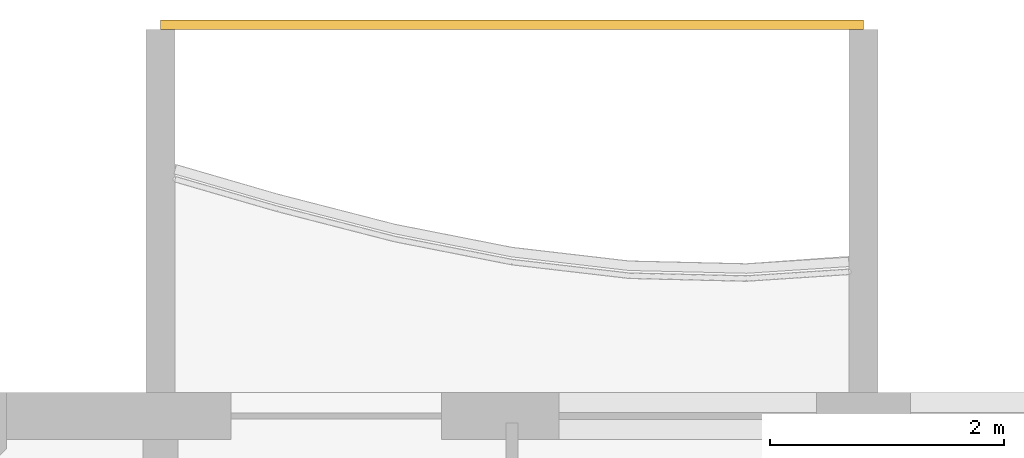
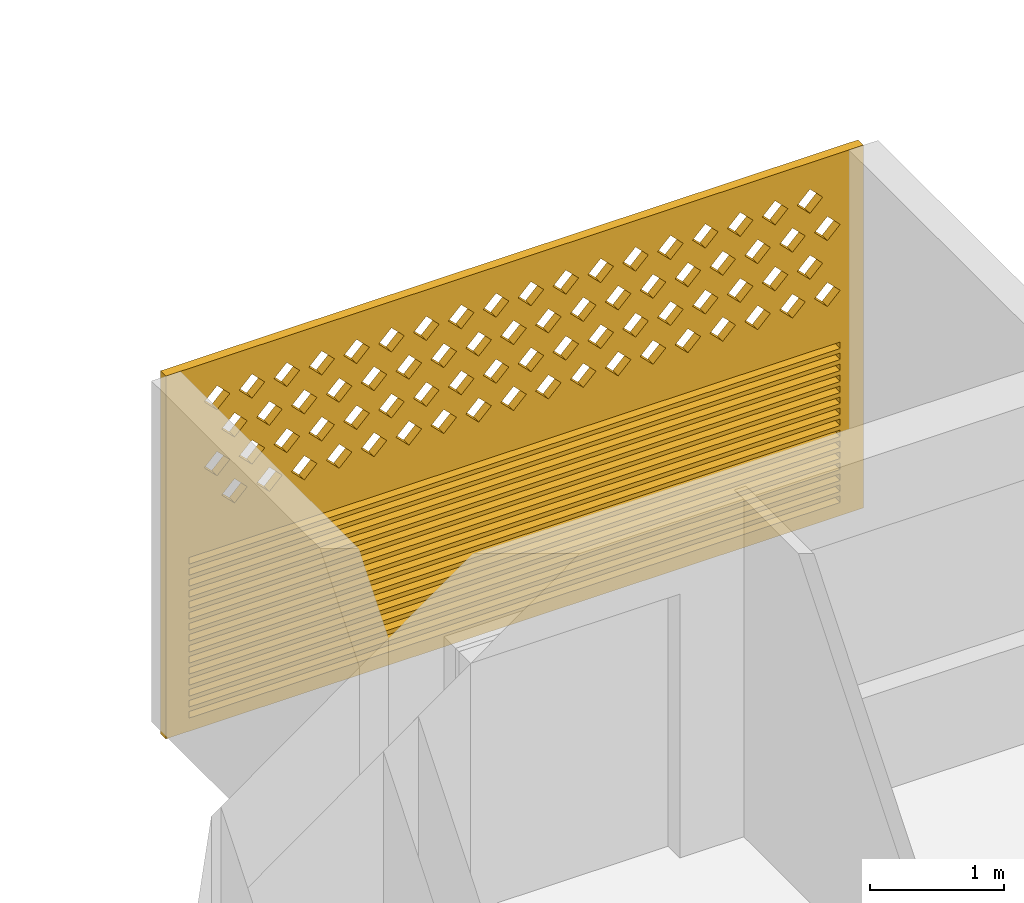
# One storey, part 19 of 33: 1 covering.
"""IFC4 building model written with IfcOpenShell, lengths in metres."""

from ifc_helpers import new_model, si_unit, direction, frame, origin, place, context, subcontext, project, spatial, polyline, outline, extrude, source, transform, mapped, material, material_profile, profile_set, type_object, element, save


model = new_model("IFC4")

# Units and contexts
model_context = context("Model", 3, precision=1e-05, world=origin(), true_north=direction((0.0, 1.0)))
body_context = subcontext(model_context, "Body", "Model", "MODEL_VIEW")
ifc_project = project(units=[si_unit("LENGTHUNIT", "METRE"), si_unit("AREAUNIT", "SQUARE_METRE"), si_unit("VOLUMEUNIT", "CUBIC_METRE"), si_unit("PLANEANGLEUNIT", "RADIAN"), si_unit("MASSUNIT", "GRAM", prefix="KILO")], contexts=[model_context])

# Site, building, storey
site_placement = place(None, origin())
site = spatial("IfcSite", under=ifc_project, at=site_placement, CompositionType="ELEMENT")
building_placement = place(site_placement, origin())
building = spatial("IfcBuilding", under=site, at=building_placement, Name="Poui Terraces", CompositionType="ELEMENT")
storey_placement = place(building_placement, frame((0.0, 0.0, 132.300048828125)))
storey = spatial("IfcBuildingStorey", under=building, at=storey_placement, Name="L36", CompositionType="ELEMENT", Elevation=132.300048828125)

# Covering
ifc_material = material(Name="Terracotta screen", Category="masonry")
ifc_material_profile = material_profile(ifc_material, outline(polyline([(-3.0, -1.64990234375), (3.0, -1.64990234375), (3.0, 1.64990234375), (-3.0, 1.64990234375), (-3.0, -1.64990234375)]), holes=[polyline([(-2.800048828125, 0.39990234375), (-2.68994140625, 0.2900390625), (-2.580078125, 0.39990234375), (-2.68994140625, 0.510009765625), (-2.800048828125, 0.39990234375)]), polyline([(-2.5, 0.39990234375), (-2.389892578125, 0.2900390625), (-2.280029296875, 0.39990234375), (-2.389892578125, 0.510009765625), (-2.5, 0.39990234375)]), polyline([(-2.199951171875, 0.39990234375), (-2.090087890625, 0.2900390625), (-1.97998046875, 0.39990234375), (-2.090087890625, 0.510009765625), (-2.199951171875, 0.39990234375)]), polyline([(-1.89990234375, 0.39990234375), (-1.7900390625, 0.2900390625), (-1.679931640625, 0.39990234375), (-1.7900390625, 0.510009765625), (-1.89990234375, 0.39990234375)]), polyline([(-1.60009765625, 0.39990234375), (-1.489990234375, 0.2900390625), (-1.3798828125, 0.39990234375), (-1.489990234375, 0.510009765625), (-1.60009765625, 0.39990234375)]), polyline([(-1.300048828125, 0.39990234375), (-1.18994140625, 0.2900390625), (-1.080078125, 0.39990234375), (-1.18994140625, 0.510009765625), (-1.300048828125, 0.39990234375)]), polyline([(-1.0, 0.39990234375), (-0.889892578125, 0.2900390625), (-0.780029296875, 0.39990234375), (-0.889892578125, 0.510009765625), (-1.0, 0.39990234375)]), polyline([(-0.699951171875, 0.39990234375), (-0.590087890625, 0.2900390625), (-0.47998046875, 0.39990234375), (-0.590087890625, 0.510009765625), (-0.699951171875, 0.39990234375)]), polyline([(-0.39990234375, 0.39990234375), (-0.2900390625, 0.2900390625), (-0.179931640625, 0.39990234375), (-0.2900390625, 0.510009765625), (-0.39990234375, 0.39990234375)]), polyline([(-0.10009765625, 0.39990234375), (0.010009765625, 0.2900390625), (0.1201171875, 0.39990234375), (0.010009765625, 0.510009765625), (-0.10009765625, 0.39990234375)]), polyline([(0.199951171875, 0.39990234375), (0.31005859375, 0.2900390625), (0.419921875, 0.39990234375), (0.31005859375, 0.510009765625), (0.199951171875, 0.39990234375)]), polyline([(0.5, 0.39990234375), (0.610107421875, 0.2900390625), (0.719970703125, 0.39990234375), (0.610107421875, 0.510009765625), (0.5, 0.39990234375)]), polyline([(0.800048828125, 0.39990234375), (0.909912109375, 0.2900390625), (1.02001953125, 0.39990234375), (0.909912109375, 0.510009765625), (0.800048828125, 0.39990234375)]), polyline([(1.10009765625, 0.39990234375), (1.2099609375, 0.2900390625), (1.320068359375, 0.39990234375), (1.2099609375, 0.510009765625), (1.10009765625, 0.39990234375)]), polyline([(1.39990234375, 0.39990234375), (1.510009765625, 0.2900390625), (1.6201171875, 0.39990234375), (1.510009765625, 0.510009765625), (1.39990234375, 0.39990234375)]), polyline([(1.699951171875, 0.39990234375), (1.81005859375, 0.2900390625), (1.919921875, 0.39990234375), (1.81005859375, 0.510009765625), (1.699951171875, 0.39990234375)]), polyline([(2.0, 0.39990234375), (2.110107421875, 0.2900390625), (2.219970703125, 0.39990234375), (2.110107421875, 0.510009765625), (2.0, 0.39990234375)]), polyline([(2.300048828125, 0.39990234375), (2.409912109375, 0.2900390625), (2.52001953125, 0.39990234375), (2.409912109375, 0.510009765625), (2.300048828125, 0.39990234375)]), polyline([(-2.64990234375, 0.699951171875), (-2.5400390625, 0.590087890625), (-2.429931640625, 0.699951171875), (-2.5400390625, 0.81005859375), (-2.64990234375, 0.699951171875)]), polyline([(-2.35009765625, 0.699951171875), (-2.239990234375, 0.590087890625), (-2.1298828125, 0.699951171875), (-2.239990234375, 0.81005859375), (-2.35009765625, 0.699951171875)]), polyline([(-2.050048828125, 0.699951171875), (-1.93994140625, 0.590087890625), (-1.830078125, 0.699951171875), (-1.93994140625, 0.81005859375), (-2.050048828125, 0.699951171875)]), polyline([(-1.75, 0.699951171875), (-1.639892578125, 0.590087890625), (-1.530029296875, 0.699951171875), (-1.639892578125, 0.81005859375), (-1.75, 0.699951171875)]), polyline([(-1.449951171875, 0.699951171875), (-1.340087890625, 0.590087890625), (-1.22998046875, 0.699951171875), (-1.340087890625, 0.81005859375), (-1.449951171875, 0.699951171875)]), polyline([(-1.14990234375, 0.699951171875), (-1.0400390625, 0.590087890625), (-0.929931640625, 0.699951171875), (-1.0400390625, 0.81005859375), (-1.14990234375, 0.699951171875)]), polyline([(-0.85009765625, 0.699951171875), (-0.739990234375, 0.590087890625), (-0.6298828125, 0.699951171875), (-0.739990234375, 0.81005859375), (-0.85009765625, 0.699951171875)]), polyline([(-0.550048828125, 0.699951171875), (-0.43994140625, 0.590087890625), (-0.330078125, 0.699951171875), (-0.43994140625, 0.81005859375), (-0.550048828125, 0.699951171875)]), polyline([(-0.25, 0.699951171875), (-0.139892578125, 0.590087890625), (-0.030029296875, 0.699951171875), (-0.139892578125, 0.81005859375), (-0.25, 0.699951171875)]), polyline([(0.050048828125, 0.699951171875), (0.159912109375, 0.590087890625), (0.27001953125, 0.699951171875), (0.159912109375, 0.81005859375), (0.050048828125, 0.699951171875)]), polyline([(0.35009765625, 0.699951171875), (0.4599609375, 0.590087890625), (0.570068359375, 0.699951171875), (0.4599609375, 0.81005859375), (0.35009765625, 0.699951171875)]), polyline([(0.64990234375, 0.699951171875), (0.760009765625, 0.590087890625), (0.8701171875, 0.699951171875), (0.760009765625, 0.81005859375), (0.64990234375, 0.699951171875)]), polyline([(0.949951171875, 0.699951171875), (1.06005859375, 0.590087890625), (1.169921875, 0.699951171875), (1.06005859375, 0.81005859375), (0.949951171875, 0.699951171875)]), polyline([(1.25, 0.699951171875), (1.360107421875, 0.590087890625), (1.469970703125, 0.699951171875), (1.360107421875, 0.81005859375), (1.25, 0.699951171875)]), polyline([(1.550048828125, 0.699951171875), (1.659912109375, 0.590087890625), (1.77001953125, 0.699951171875), (1.659912109375, 0.81005859375), (1.550048828125, 0.699951171875)]), polyline([(1.85009765625, 0.699951171875), (1.9599609375, 0.590087890625), (2.070068359375, 0.699951171875), (1.9599609375, 0.81005859375), (1.85009765625, 0.699951171875)]), polyline([(2.14990234375, 0.699951171875), (2.260009765625, 0.590087890625), (2.3701171875, 0.699951171875), (2.260009765625, 0.81005859375), (2.14990234375, 0.699951171875)]), polyline([(2.449951171875, 0.699951171875), (2.56005859375, 0.590087890625), (2.669921875, 0.699951171875), (2.56005859375, 0.81005859375), (2.449951171875, 0.699951171875)]), polyline([(-2.800048828125, 1.0), (-2.68994140625, 0.889892578125), (-2.580078125, 1.0), (-2.68994140625, 1.110107421875), (-2.800048828125, 1.0)]), polyline([(-2.5, 1.0), (-2.389892578125, 0.889892578125), (-2.280029296875, 1.0), (-2.389892578125, 1.110107421875), (-2.5, 1.0)]), polyline([(-2.199951171875, 1.0), (-2.090087890625, 0.889892578125), (-1.97998046875, 1.0), (-2.090087890625, 1.110107421875), (-2.199951171875, 1.0)]), polyline([(-1.89990234375, 1.0), (-1.7900390625, 0.889892578125), (-1.679931640625, 1.0), (-1.7900390625, 1.110107421875), (-1.89990234375, 1.0)]), polyline([(-1.60009765625, 1.0), (-1.489990234375, 0.889892578125), (-1.3798828125, 1.0), (-1.489990234375, 1.110107421875), (-1.60009765625, 1.0)]), polyline([(-1.300048828125, 1.0), (-1.18994140625, 0.889892578125), (-1.080078125, 1.0), (-1.18994140625, 1.110107421875), (-1.300048828125, 1.0)]), polyline([(-1.0, 1.0), (-0.889892578125, 0.889892578125), (-0.780029296875, 1.0), (-0.889892578125, 1.110107421875), (-1.0, 1.0)]), polyline([(-0.699951171875, 1.0), (-0.590087890625, 0.889892578125), (-0.47998046875, 1.0), (-0.590087890625, 1.110107421875), (-0.699951171875, 1.0)]), polyline([(-0.39990234375, 1.0), (-0.2900390625, 0.889892578125), (-0.179931640625, 1.0), (-0.2900390625, 1.110107421875), (-0.39990234375, 1.0)]), polyline([(-0.10009765625, 1.0), (0.010009765625, 0.889892578125), (0.1201171875, 1.0), (0.010009765625, 1.110107421875), (-0.10009765625, 1.0)]), polyline([(0.199951171875, 1.0), (0.31005859375, 0.889892578125), (0.419921875, 1.0), (0.31005859375, 1.110107421875), (0.199951171875, 1.0)]), polyline([(0.5, 1.0), (0.610107421875, 0.889892578125), (0.719970703125, 1.0), (0.610107421875, 1.110107421875), (0.5, 1.0)]), polyline([(0.800048828125, 1.0), (0.909912109375, 0.889892578125), (1.02001953125, 1.0), (0.909912109375, 1.110107421875), (0.800048828125, 1.0)]), polyline([(1.10009765625, 1.0), (1.2099609375, 0.889892578125), (1.320068359375, 1.0), (1.2099609375, 1.110107421875), (1.10009765625, 1.0)]), polyline([(1.39990234375, 1.0), (1.510009765625, 0.889892578125), (1.6201171875, 1.0), (1.510009765625, 1.110107421875), (1.39990234375, 1.0)]), polyline([(1.699951171875, 1.0), (1.81005859375, 0.889892578125), (1.919921875, 1.0), (1.81005859375, 1.110107421875), (1.699951171875, 1.0)]), polyline([(2.0, 1.0), (2.110107421875, 0.889892578125), (2.219970703125, 1.0), (2.110107421875, 1.110107421875), (2.0, 1.0)]), polyline([(2.300048828125, 1.0), (2.409912109375, 0.889892578125), (2.52001953125, 1.0), (2.409912109375, 1.110107421875), (2.300048828125, 1.0)]), polyline([(-2.64990234375, 1.300048828125), (-2.5400390625, 1.18994140625), (-2.429931640625, 1.300048828125), (-2.5400390625, 1.409912109375), (-2.64990234375, 1.300048828125)]), polyline([(-2.35009765625, 1.300048828125), (-2.239990234375, 1.18994140625), (-2.1298828125, 1.300048828125), (-2.239990234375, 1.409912109375), (-2.35009765625, 1.300048828125)]), polyline([(-2.050048828125, 1.300048828125), (-1.93994140625, 1.18994140625), (-1.830078125, 1.300048828125), (-1.93994140625, 1.409912109375), (-2.050048828125, 1.300048828125)]), polyline([(-1.75, 1.300048828125), (-1.639892578125, 1.18994140625), (-1.530029296875, 1.300048828125), (-1.639892578125, 1.409912109375), (-1.75, 1.300048828125)]), polyline([(-1.449951171875, 1.300048828125), (-1.340087890625, 1.18994140625), (-1.22998046875, 1.300048828125), (-1.340087890625, 1.409912109375), (-1.449951171875, 1.300048828125)]), polyline([(-1.14990234375, 1.300048828125), (-1.0400390625, 1.18994140625), (-0.929931640625, 1.300048828125), (-1.0400390625, 1.409912109375), (-1.14990234375, 1.300048828125)]), polyline([(-0.85009765625, 1.300048828125), (-0.739990234375, 1.18994140625), (-0.6298828125, 1.300048828125), (-0.739990234375, 1.409912109375), (-0.85009765625, 1.300048828125)]), polyline([(-0.550048828125, 1.300048828125), (-0.43994140625, 1.18994140625), (-0.330078125, 1.300048828125), (-0.43994140625, 1.409912109375), (-0.550048828125, 1.300048828125)]), polyline([(-0.25, 1.300048828125), (-0.139892578125, 1.18994140625), (-0.030029296875, 1.300048828125), (-0.139892578125, 1.409912109375), (-0.25, 1.300048828125)]), polyline([(0.050048828125, 1.300048828125), (0.159912109375, 1.18994140625), (0.27001953125, 1.300048828125), (0.159912109375, 1.409912109375), (0.050048828125, 1.300048828125)]), polyline([(0.35009765625, 1.300048828125), (0.4599609375, 1.18994140625), (0.570068359375, 1.300048828125), (0.4599609375, 1.409912109375), (0.35009765625, 1.300048828125)]), polyline([(0.64990234375, 1.300048828125), (0.760009765625, 1.18994140625), (0.8701171875, 1.300048828125), (0.760009765625, 1.409912109375), (0.64990234375, 1.300048828125)]), polyline([(0.949951171875, 1.300048828125), (1.06005859375, 1.18994140625), (1.169921875, 1.300048828125), (1.06005859375, 1.409912109375), (0.949951171875, 1.300048828125)]), polyline([(1.25, 1.300048828125), (1.360107421875, 1.18994140625), (1.469970703125, 1.300048828125), (1.360107421875, 1.409912109375), (1.25, 1.300048828125)]), polyline([(1.550048828125, 1.300048828125), (1.659912109375, 1.18994140625), (1.77001953125, 1.300048828125), (1.659912109375, 1.409912109375), (1.550048828125, 1.300048828125)]), polyline([(1.85009765625, 1.300048828125), (1.9599609375, 1.18994140625), (2.070068359375, 1.300048828125), (1.9599609375, 1.409912109375), (1.85009765625, 1.300048828125)]), polyline([(2.14990234375, 1.300048828125), (2.260009765625, 1.18994140625), (2.3701171875, 1.300048828125), (2.260009765625, 1.409912109375), (2.14990234375, 1.300048828125)]), polyline([(2.449951171875, 1.300048828125), (2.56005859375, 1.18994140625), (2.669921875, 1.300048828125), (2.56005859375, 1.409912109375), (2.449951171875, 1.300048828125)]), polyline([(-2.800048828125, -1.530029296875), (2.800048828125, -1.530029296875), (2.800048828125, -1.469970703125), (-2.800048828125, -1.469970703125), (-2.800048828125, -1.530029296875)]), polyline([(-2.800048828125, -1.429931640625), (2.800048828125, -1.429931640625), (2.800048828125, -1.3701171875), (-2.800048828125, -1.3701171875), (-2.800048828125, -1.429931640625)]), polyline([(-2.800048828125, -1.330078125), (2.800048828125, -1.330078125), (2.800048828125, -1.27001953125), (-2.800048828125, -1.27001953125), (-2.800048828125, -1.330078125)]), polyline([(-2.800048828125, -1.22998046875), (2.800048828125, -1.22998046875), (2.800048828125, -1.169921875), (-2.800048828125, -1.169921875), (-2.800048828125, -1.22998046875)]), polyline([(-2.800048828125, -1.1298828125), (2.800048828125, -1.1298828125), (2.800048828125, -1.070068359375), (-2.800048828125, -1.070068359375), (-2.800048828125, -1.1298828125)]), polyline([(-2.800048828125, -1.030029296875), (2.800048828125, -1.030029296875), (2.800048828125, -0.969970703125), (-2.800048828125, -0.969970703125), (-2.800048828125, -1.030029296875)]), polyline([(-2.800048828125, -0.929931640625), (2.800048828125, -0.929931640625), (2.800048828125, -0.8701171875), (-2.800048828125, -0.8701171875), (-2.800048828125, -0.929931640625)]), polyline([(-2.800048828125, -0.830078125), (2.800048828125, -0.830078125), (2.800048828125, -0.77001953125), (-2.800048828125, -0.77001953125), (-2.800048828125, -0.830078125)]), polyline([(-2.800048828125, -0.72998046875), (2.800048828125, -0.72998046875), (2.800048828125, -0.669921875), (-2.800048828125, -0.669921875), (-2.800048828125, -0.72998046875)]), polyline([(-2.800048828125, -0.6298828125), (2.800048828125, -0.6298828125), (2.800048828125, -0.570068359375), (-2.800048828125, -0.570068359375), (-2.800048828125, -0.6298828125)]), polyline([(-2.800048828125, -0.530029296875), (2.800048828125, -0.530029296875), (2.800048828125, -0.469970703125), (-2.800048828125, -0.469970703125), (-2.800048828125, -0.530029296875)]), polyline([(-2.800048828125, -0.429931640625), (2.800048828125, -0.429931640625), (2.800048828125, -0.3701171875), (-2.800048828125, -0.3701171875), (-2.800048828125, -0.429931640625)]), polyline([(-2.800048828125, -0.330078125), (2.800048828125, -0.330078125), (2.800048828125, -0.27001953125), (-2.800048828125, -0.27001953125), (-2.800048828125, -0.330078125)]), polyline([(-2.800048828125, -0.22998046875), (2.800048828125, -0.22998046875), (2.800048828125, -0.169921875), (-2.800048828125, -0.169921875), (-2.800048828125, -0.22998046875)]), polyline([(-2.800048828125, -0.1298828125), (2.800048828125, -0.1298828125), (2.800048828125, -0.070068359375), (-2.800048828125, -0.070068359375), (-2.800048828125, -0.1298828125)])]), Name="TERRACOTTA SCREEN AND JALOUSIE LOUVRE 6000X3300")
ifc_profile_set = profile_set([ifc_material_profile], Name="Terracotta screen")
covering_type = type_object("IfcCoveringType", Name="TERRACOTTA SCREEN AND JALOUSIE LOUVRE 6000X3300", PredefinedType="CLADDING", material=ifc_profile_set)
shared_shape = source(origin(), body_context, "Body", "SweptSolid", [
    extrude(outline(polyline([(-3.0, -1.64990234375), (3.0, -1.64990234375), (3.0, 1.64990234375), (-3.0, 1.64990234375), (-3.0, -1.64990234375)]), holes=[polyline([(-2.800048828125, 0.39990234375), (-2.68994140625, 0.2900390625), (-2.580078125, 0.39990234375), (-2.68994140625, 0.510009765625), (-2.800048828125, 0.39990234375)]), polyline([(-2.5, 0.39990234375), (-2.389892578125, 0.2900390625), (-2.280029296875, 0.39990234375), (-2.389892578125, 0.510009765625), (-2.5, 0.39990234375)]), polyline([(-2.199951171875, 0.39990234375), (-2.090087890625, 0.2900390625), (-1.97998046875, 0.39990234375), (-2.090087890625, 0.510009765625), (-2.199951171875, 0.39990234375)]), polyline([(-1.89990234375, 0.39990234375), (-1.7900390625, 0.2900390625), (-1.679931640625, 0.39990234375), (-1.7900390625, 0.510009765625), (-1.89990234375, 0.39990234375)]), polyline([(-1.60009765625, 0.39990234375), (-1.489990234375, 0.2900390625), (-1.3798828125, 0.39990234375), (-1.489990234375, 0.510009765625), (-1.60009765625, 0.39990234375)]), polyline([(-1.300048828125, 0.39990234375), (-1.18994140625, 0.2900390625), (-1.080078125, 0.39990234375), (-1.18994140625, 0.510009765625), (-1.300048828125, 0.39990234375)]), polyline([(-1.0, 0.39990234375), (-0.889892578125, 0.2900390625), (-0.780029296875, 0.39990234375), (-0.889892578125, 0.510009765625), (-1.0, 0.39990234375)]), polyline([(-0.699951171875, 0.39990234375), (-0.590087890625, 0.2900390625), (-0.47998046875, 0.39990234375), (-0.590087890625, 0.510009765625), (-0.699951171875, 0.39990234375)]), polyline([(-0.39990234375, 0.39990234375), (-0.2900390625, 0.2900390625), (-0.179931640625, 0.39990234375), (-0.2900390625, 0.510009765625), (-0.39990234375, 0.39990234375)]), polyline([(-0.10009765625, 0.39990234375), (0.010009765625, 0.2900390625), (0.1201171875, 0.39990234375), (0.010009765625, 0.510009765625), (-0.10009765625, 0.39990234375)]), polyline([(0.199951171875, 0.39990234375), (0.31005859375, 0.2900390625), (0.419921875, 0.39990234375), (0.31005859375, 0.510009765625), (0.199951171875, 0.39990234375)]), polyline([(0.5, 0.39990234375), (0.610107421875, 0.2900390625), (0.719970703125, 0.39990234375), (0.610107421875, 0.510009765625), (0.5, 0.39990234375)]), polyline([(0.800048828125, 0.39990234375), (0.909912109375, 0.2900390625), (1.02001953125, 0.39990234375), (0.909912109375, 0.510009765625), (0.800048828125, 0.39990234375)]), polyline([(1.10009765625, 0.39990234375), (1.2099609375, 0.2900390625), (1.320068359375, 0.39990234375), (1.2099609375, 0.510009765625), (1.10009765625, 0.39990234375)]), polyline([(1.39990234375, 0.39990234375), (1.510009765625, 0.2900390625), (1.6201171875, 0.39990234375), (1.510009765625, 0.510009765625), (1.39990234375, 0.39990234375)]), polyline([(1.699951171875, 0.39990234375), (1.81005859375, 0.2900390625), (1.919921875, 0.39990234375), (1.81005859375, 0.510009765625), (1.699951171875, 0.39990234375)]), polyline([(2.0, 0.39990234375), (2.110107421875, 0.2900390625), (2.219970703125, 0.39990234375), (2.110107421875, 0.510009765625), (2.0, 0.39990234375)]), polyline([(2.300048828125, 0.39990234375), (2.409912109375, 0.2900390625), (2.52001953125, 0.39990234375), (2.409912109375, 0.510009765625), (2.300048828125, 0.39990234375)]), polyline([(-2.64990234375, 0.699951171875), (-2.5400390625, 0.590087890625), (-2.429931640625, 0.699951171875), (-2.5400390625, 0.81005859375), (-2.64990234375, 0.699951171875)]), polyline([(-2.35009765625, 0.699951171875), (-2.239990234375, 0.590087890625), (-2.1298828125, 0.699951171875), (-2.239990234375, 0.81005859375), (-2.35009765625, 0.699951171875)]), polyline([(-2.050048828125, 0.699951171875), (-1.93994140625, 0.590087890625), (-1.830078125, 0.699951171875), (-1.93994140625, 0.81005859375), (-2.050048828125, 0.699951171875)]), polyline([(-1.75, 0.699951171875), (-1.639892578125, 0.590087890625), (-1.530029296875, 0.699951171875), (-1.639892578125, 0.81005859375), (-1.75, 0.699951171875)]), polyline([(-1.449951171875, 0.699951171875), (-1.340087890625, 0.590087890625), (-1.22998046875, 0.699951171875), (-1.340087890625, 0.81005859375), (-1.449951171875, 0.699951171875)]), polyline([(-1.14990234375, 0.699951171875), (-1.0400390625, 0.590087890625), (-0.929931640625, 0.699951171875), (-1.0400390625, 0.81005859375), (-1.14990234375, 0.699951171875)]), polyline([(-0.85009765625, 0.699951171875), (-0.739990234375, 0.590087890625), (-0.6298828125, 0.699951171875), (-0.739990234375, 0.81005859375), (-0.85009765625, 0.699951171875)]), polyline([(-0.550048828125, 0.699951171875), (-0.43994140625, 0.590087890625), (-0.330078125, 0.699951171875), (-0.43994140625, 0.81005859375), (-0.550048828125, 0.699951171875)]), polyline([(-0.25, 0.699951171875), (-0.139892578125, 0.590087890625), (-0.030029296875, 0.699951171875), (-0.139892578125, 0.81005859375), (-0.25, 0.699951171875)]), polyline([(0.050048828125, 0.699951171875), (0.159912109375, 0.590087890625), (0.27001953125, 0.699951171875), (0.159912109375, 0.81005859375), (0.050048828125, 0.699951171875)]), polyline([(0.35009765625, 0.699951171875), (0.4599609375, 0.590087890625), (0.570068359375, 0.699951171875), (0.4599609375, 0.81005859375), (0.35009765625, 0.699951171875)]), polyline([(0.64990234375, 0.699951171875), (0.760009765625, 0.590087890625), (0.8701171875, 0.699951171875), (0.760009765625, 0.81005859375), (0.64990234375, 0.699951171875)]), polyline([(0.949951171875, 0.699951171875), (1.06005859375, 0.590087890625), (1.169921875, 0.699951171875), (1.06005859375, 0.81005859375), (0.949951171875, 0.699951171875)]), polyline([(1.25, 0.699951171875), (1.360107421875, 0.590087890625), (1.469970703125, 0.699951171875), (1.360107421875, 0.81005859375), (1.25, 0.699951171875)]), polyline([(1.550048828125, 0.699951171875), (1.659912109375, 0.590087890625), (1.77001953125, 0.699951171875), (1.659912109375, 0.81005859375), (1.550048828125, 0.699951171875)]), polyline([(1.85009765625, 0.699951171875), (1.9599609375, 0.590087890625), (2.070068359375, 0.699951171875), (1.9599609375, 0.81005859375), (1.85009765625, 0.699951171875)]), polyline([(2.14990234375, 0.699951171875), (2.260009765625, 0.590087890625), (2.3701171875, 0.699951171875), (2.260009765625, 0.81005859375), (2.14990234375, 0.699951171875)]), polyline([(2.449951171875, 0.699951171875), (2.56005859375, 0.590087890625), (2.669921875, 0.699951171875), (2.56005859375, 0.81005859375), (2.449951171875, 0.699951171875)]), polyline([(-2.800048828125, 1.0), (-2.68994140625, 0.889892578125), (-2.580078125, 1.0), (-2.68994140625, 1.110107421875), (-2.800048828125, 1.0)]), polyline([(-2.5, 1.0), (-2.389892578125, 0.889892578125), (-2.280029296875, 1.0), (-2.389892578125, 1.110107421875), (-2.5, 1.0)]), polyline([(-2.199951171875, 1.0), (-2.090087890625, 0.889892578125), (-1.97998046875, 1.0), (-2.090087890625, 1.110107421875), (-2.199951171875, 1.0)]), polyline([(-1.89990234375, 1.0), (-1.7900390625, 0.889892578125), (-1.679931640625, 1.0), (-1.7900390625, 1.110107421875), (-1.89990234375, 1.0)]), polyline([(-1.60009765625, 1.0), (-1.489990234375, 0.889892578125), (-1.3798828125, 1.0), (-1.489990234375, 1.110107421875), (-1.60009765625, 1.0)]), polyline([(-1.300048828125, 1.0), (-1.18994140625, 0.889892578125), (-1.080078125, 1.0), (-1.18994140625, 1.110107421875), (-1.300048828125, 1.0)]), polyline([(-1.0, 1.0), (-0.889892578125, 0.889892578125), (-0.780029296875, 1.0), (-0.889892578125, 1.110107421875), (-1.0, 1.0)]), polyline([(-0.699951171875, 1.0), (-0.590087890625, 0.889892578125), (-0.47998046875, 1.0), (-0.590087890625, 1.110107421875), (-0.699951171875, 1.0)]), polyline([(-0.39990234375, 1.0), (-0.2900390625, 0.889892578125), (-0.179931640625, 1.0), (-0.2900390625, 1.110107421875), (-0.39990234375, 1.0)]), polyline([(-0.10009765625, 1.0), (0.010009765625, 0.889892578125), (0.1201171875, 1.0), (0.010009765625, 1.110107421875), (-0.10009765625, 1.0)]), polyline([(0.199951171875, 1.0), (0.31005859375, 0.889892578125), (0.419921875, 1.0), (0.31005859375, 1.110107421875), (0.199951171875, 1.0)]), polyline([(0.5, 1.0), (0.610107421875, 0.889892578125), (0.719970703125, 1.0), (0.610107421875, 1.110107421875), (0.5, 1.0)]), polyline([(0.800048828125, 1.0), (0.909912109375, 0.889892578125), (1.02001953125, 1.0), (0.909912109375, 1.110107421875), (0.800048828125, 1.0)]), polyline([(1.10009765625, 1.0), (1.2099609375, 0.889892578125), (1.320068359375, 1.0), (1.2099609375, 1.110107421875), (1.10009765625, 1.0)]), polyline([(1.39990234375, 1.0), (1.510009765625, 0.889892578125), (1.6201171875, 1.0), (1.510009765625, 1.110107421875), (1.39990234375, 1.0)]), polyline([(1.699951171875, 1.0), (1.81005859375, 0.889892578125), (1.919921875, 1.0), (1.81005859375, 1.110107421875), (1.699951171875, 1.0)]), polyline([(2.0, 1.0), (2.110107421875, 0.889892578125), (2.219970703125, 1.0), (2.110107421875, 1.110107421875), (2.0, 1.0)]), polyline([(2.300048828125, 1.0), (2.409912109375, 0.889892578125), (2.52001953125, 1.0), (2.409912109375, 1.110107421875), (2.300048828125, 1.0)]), polyline([(-2.64990234375, 1.300048828125), (-2.5400390625, 1.18994140625), (-2.429931640625, 1.300048828125), (-2.5400390625, 1.409912109375), (-2.64990234375, 1.300048828125)]), polyline([(-2.35009765625, 1.300048828125), (-2.239990234375, 1.18994140625), (-2.1298828125, 1.300048828125), (-2.239990234375, 1.409912109375), (-2.35009765625, 1.300048828125)]), polyline([(-2.050048828125, 1.300048828125), (-1.93994140625, 1.18994140625), (-1.830078125, 1.300048828125), (-1.93994140625, 1.409912109375), (-2.050048828125, 1.300048828125)]), polyline([(-1.75, 1.300048828125), (-1.639892578125, 1.18994140625), (-1.530029296875, 1.300048828125), (-1.639892578125, 1.409912109375), (-1.75, 1.300048828125)]), polyline([(-1.449951171875, 1.300048828125), (-1.340087890625, 1.18994140625), (-1.22998046875, 1.300048828125), (-1.340087890625, 1.409912109375), (-1.449951171875, 1.300048828125)]), polyline([(-1.14990234375, 1.300048828125), (-1.0400390625, 1.18994140625), (-0.929931640625, 1.300048828125), (-1.0400390625, 1.409912109375), (-1.14990234375, 1.300048828125)]), polyline([(-0.85009765625, 1.300048828125), (-0.739990234375, 1.18994140625), (-0.6298828125, 1.300048828125), (-0.739990234375, 1.409912109375), (-0.85009765625, 1.300048828125)]), polyline([(-0.550048828125, 1.300048828125), (-0.43994140625, 1.18994140625), (-0.330078125, 1.300048828125), (-0.43994140625, 1.409912109375), (-0.550048828125, 1.300048828125)]), polyline([(-0.25, 1.300048828125), (-0.139892578125, 1.18994140625), (-0.030029296875, 1.300048828125), (-0.139892578125, 1.409912109375), (-0.25, 1.300048828125)]), polyline([(0.050048828125, 1.300048828125), (0.159912109375, 1.18994140625), (0.27001953125, 1.300048828125), (0.159912109375, 1.409912109375), (0.050048828125, 1.300048828125)]), polyline([(0.35009765625, 1.300048828125), (0.4599609375, 1.18994140625), (0.570068359375, 1.300048828125), (0.4599609375, 1.409912109375), (0.35009765625, 1.300048828125)]), polyline([(0.64990234375, 1.300048828125), (0.760009765625, 1.18994140625), (0.8701171875, 1.300048828125), (0.760009765625, 1.409912109375), (0.64990234375, 1.300048828125)]), polyline([(0.949951171875, 1.300048828125), (1.06005859375, 1.18994140625), (1.169921875, 1.300048828125), (1.06005859375, 1.409912109375), (0.949951171875, 1.300048828125)]), polyline([(1.25, 1.300048828125), (1.360107421875, 1.18994140625), (1.469970703125, 1.300048828125), (1.360107421875, 1.409912109375), (1.25, 1.300048828125)]), polyline([(1.550048828125, 1.300048828125), (1.659912109375, 1.18994140625), (1.77001953125, 1.300048828125), (1.659912109375, 1.409912109375), (1.550048828125, 1.300048828125)]), polyline([(1.85009765625, 1.300048828125), (1.9599609375, 1.18994140625), (2.070068359375, 1.300048828125), (1.9599609375, 1.409912109375), (1.85009765625, 1.300048828125)]), polyline([(2.14990234375, 1.300048828125), (2.260009765625, 1.18994140625), (2.3701171875, 1.300048828125), (2.260009765625, 1.409912109375), (2.14990234375, 1.300048828125)]), polyline([(2.449951171875, 1.300048828125), (2.56005859375, 1.18994140625), (2.669921875, 1.300048828125), (2.56005859375, 1.409912109375), (2.449951171875, 1.300048828125)]), polyline([(-2.800048828125, -1.530029296875), (2.800048828125, -1.530029296875), (2.800048828125, -1.469970703125), (-2.800048828125, -1.469970703125), (-2.800048828125, -1.530029296875)]), polyline([(-2.800048828125, -1.429931640625), (2.800048828125, -1.429931640625), (2.800048828125, -1.3701171875), (-2.800048828125, -1.3701171875), (-2.800048828125, -1.429931640625)]), polyline([(-2.800048828125, -1.330078125), (2.800048828125, -1.330078125), (2.800048828125, -1.27001953125), (-2.800048828125, -1.27001953125), (-2.800048828125, -1.330078125)]), polyline([(-2.800048828125, -1.22998046875), (2.800048828125, -1.22998046875), (2.800048828125, -1.169921875), (-2.800048828125, -1.169921875), (-2.800048828125, -1.22998046875)]), polyline([(-2.800048828125, -1.1298828125), (2.800048828125, -1.1298828125), (2.800048828125, -1.070068359375), (-2.800048828125, -1.070068359375), (-2.800048828125, -1.1298828125)]), polyline([(-2.800048828125, -1.030029296875), (2.800048828125, -1.030029296875), (2.800048828125, -0.969970703125), (-2.800048828125, -0.969970703125), (-2.800048828125, -1.030029296875)]), polyline([(-2.800048828125, -0.929931640625), (2.800048828125, -0.929931640625), (2.800048828125, -0.8701171875), (-2.800048828125, -0.8701171875), (-2.800048828125, -0.929931640625)]), polyline([(-2.800048828125, -0.830078125), (2.800048828125, -0.830078125), (2.800048828125, -0.77001953125), (-2.800048828125, -0.77001953125), (-2.800048828125, -0.830078125)]), polyline([(-2.800048828125, -0.72998046875), (2.800048828125, -0.72998046875), (2.800048828125, -0.669921875), (-2.800048828125, -0.669921875), (-2.800048828125, -0.72998046875)]), polyline([(-2.800048828125, -0.6298828125), (2.800048828125, -0.6298828125), (2.800048828125, -0.570068359375), (-2.800048828125, -0.570068359375), (-2.800048828125, -0.6298828125)]), polyline([(-2.800048828125, -0.530029296875), (2.800048828125, -0.530029296875), (2.800048828125, -0.469970703125), (-2.800048828125, -0.469970703125), (-2.800048828125, -0.530029296875)]), polyline([(-2.800048828125, -0.429931640625), (2.800048828125, -0.429931640625), (2.800048828125, -0.3701171875), (-2.800048828125, -0.3701171875), (-2.800048828125, -0.429931640625)]), polyline([(-2.800048828125, -0.330078125), (2.800048828125, -0.330078125), (2.800048828125, -0.27001953125), (-2.800048828125, -0.27001953125), (-2.800048828125, -0.330078125)]), polyline([(-2.800048828125, -0.22998046875), (2.800048828125, -0.22998046875), (2.800048828125, -0.169921875), (-2.800048828125, -0.169921875), (-2.800048828125, -0.22998046875)]), polyline([(-2.800048828125, -0.1298828125), (2.800048828125, -0.1298828125), (2.800048828125, -0.070068359375), (-2.800048828125, -0.070068359375), (-2.800048828125, -0.1298828125)])]), origin(), (0.0, 0.0, 1.0), 0.080078125),
])
covering_placement = place(storey_placement, frame((21.0, 45.699951171875, 1.449951171875), z_axis=(0.0, 1.0, 0.0), x_axis=(-1.0, 0.0, 0.0)))
element("IfcCovering", 1, at=covering_placement, inside=storey, type_object=covering_type, Name="SOLAR SCREEN AND JALOUSIE LOUVRE", PredefinedType="CLADDING", context=body_context, shape_type="MappedRepresentation", body=[
    mapped(shared_shape, transform((0.0, 0.0, 0.0))),
])

save(model, "model.ifc")
